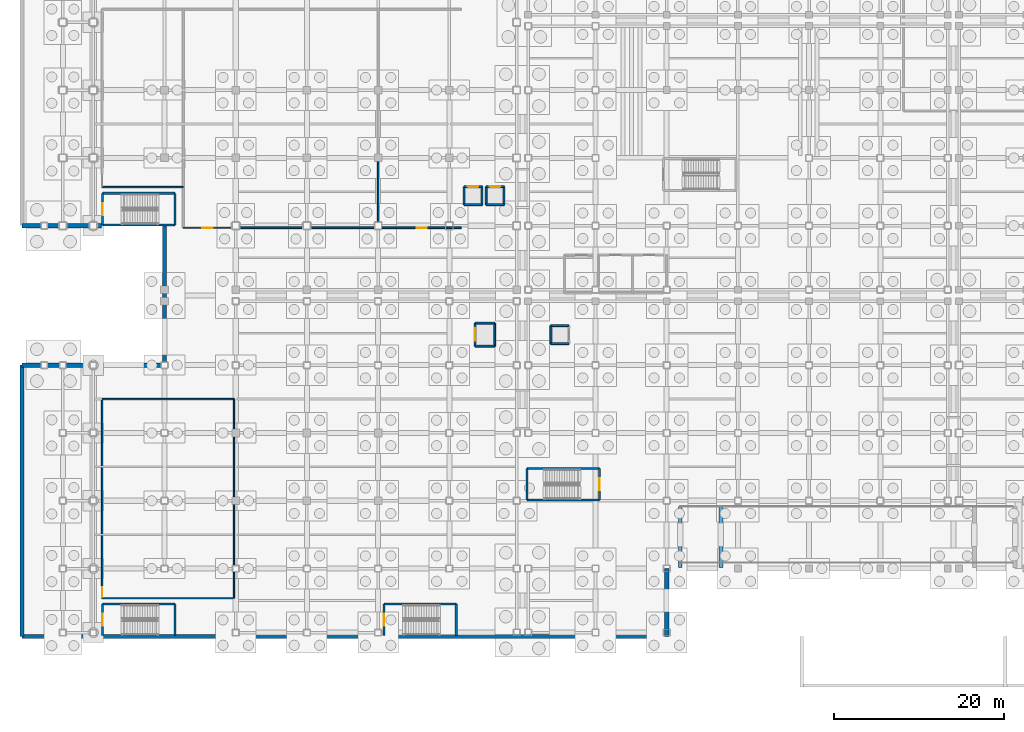
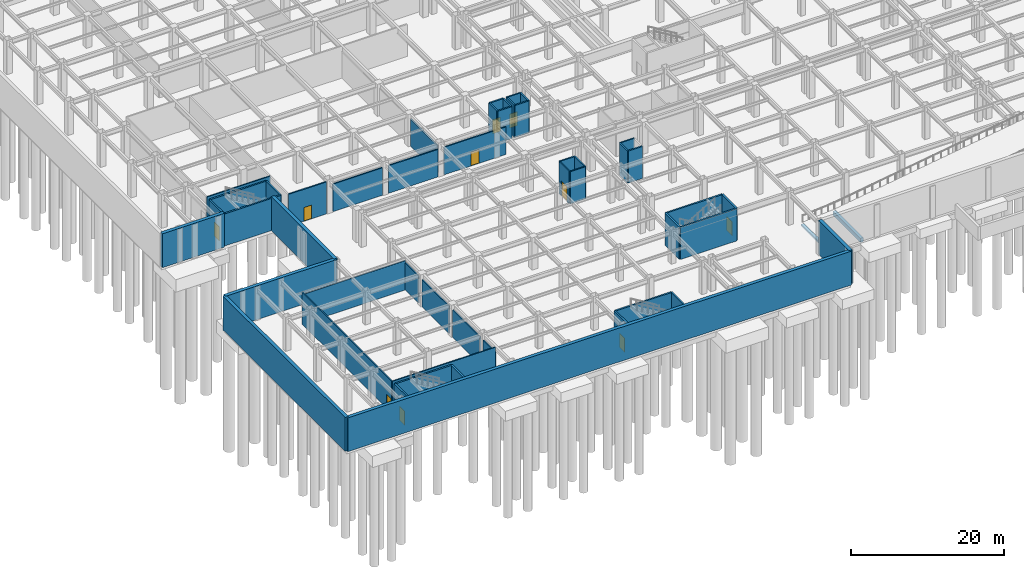
# One storey, part 32 of 55: 50 walls, 10 doors, 10 openings.
"""IFC4 building model written with IfcOpenShell, lengths in metres."""

from ifc_helpers import new_model, si_unit, direction, frame, frame_2d, origin, origin_with_axes, place, context, subcontext, project, spatial, rectangle, extrude, material, layer, layer_set, type_object, element, fill, save


model = new_model("IFC4")

# Units and contexts
model_context = context("Model", 3, precision=1e-05, world=origin(), true_north=direction((0.0, 1.0)))
body_context = subcontext(model_context, "Body", "Model", "MODEL_VIEW")
ifc_project = project(units=[si_unit("LENGTHUNIT", "METRE"), si_unit("AREAUNIT", "SQUARE_METRE"), si_unit("VOLUMEUNIT", "CUBIC_METRE"), si_unit("PLANEANGLEUNIT", "RADIAN"), si_unit("MASSUNIT", "GRAM", prefix="KILO")], contexts=[model_context])

# Site, building, storey
site_placement = place(None, origin())
site = spatial("IfcSite", under=ifc_project, at=site_placement, CompositionType="ELEMENT")
building_placement = place(site_placement, origin())
building = spatial("IfcBuilding", under=site, at=building_placement, Name="Kazehara Bluff Congress Hotel", CompositionType="ELEMENT")
storey_placement = place(building_placement, frame((0.0, 0.0, -5.39990234375)))
storey = spatial("IfcBuildingStorey", under=building, at=storey_placement, Name="B1", CompositionType="ELEMENT", Elevation=-5.39990234375)

# Wall, opening, door
ifc_material_1 = material(Name="Concrete C40/50", Category="concrete")
ifc_layer_1 = layer(ifc_material_1, 0.25)
ifc_layer_set_1 = layer_set([ifc_layer_1], Name="Concrete C40/50")
wall_type_1 = type_object("IfcWallType", Name="TP-CW-RC", PredefinedType="SHEAR", material=ifc_layer_set_1)
wall_1_placement = place(storey_placement, frame((9.47509765625, 48.52490234375, 0.0), z_axis=(0.0, 0.0, 1.0), x_axis=(0.0, 1.0, 0.0)))
wall_1 = element("IfcWall", 1, at=wall_1_placement, inside=storey, type_object=wall_type_1, Name="B1 ST-03 core wall near", PredefinedType="SHEAR", context=body_context, shape_type="SweptSolid", body=[
    extrude(rectangle(XDim=3.75, YDim=0.25, at=frame_2d((1.875, 0.0))), origin(), (0.0, 0.0, 1.0), 5.119873046875),
])
opening_1_placement = place(wall_1_placement, frame((1.175048828125, 0.0, 0.0)))
opening_1 = element("IfcOpeningElement", 2, at=opening_1_placement, cuts=wall_1, Name="Opening FD-03", PredefinedType="OPENING", context=body_context, shape_type="SweptSolid", body=[
    extrude(rectangle(XDim=1.39990234375, YDim=2.25, at=frame_2d((0.699951171875, 1.125))), frame((0.0, 0.135009765625, 0.0), z_axis=(0.0, -1.0, 0.0), x_axis=(1.0, 0.0, 0.0)), (0.0, 0.0, 1.0), 0.27001953125),
])
ifc_material_2 = material(Name="Fire-rated painted steel leaf", Category="steel")
door_type_1 = type_object("IfcDoorType", Name="TP-FD-03", OperationType="NOTDEFINED", PredefinedType="DOOR", material=ifc_material_2)
door_1_placement = place(opening_1_placement, origin())
door_1 = element("IfcDoor", 3, at=door_1_placement, inside=storey, type_object=door_type_1, Name="B1 ST-03 fire stair door", OperationType="SINGLE_SWING_RIGHT", OverallHeight=2.25, OverallWidth=1.39990234375, PredefinedType="DOOR", context=body_context, shape_type="SweptSolid", body=[
    extrude(rectangle(XDim=1.39990234375, YDim=2.25, at=frame_2d((0.699951171875, 1.125))), frame((0.0, 0.02490234375, 0.0), z_axis=(0.0, -1.0, 0.0), x_axis=(1.0, 0.0, 0.0)), (0.0, 0.0, 1.0), 0.050048828125),
])
fill(opening_1, door_1)

# Walls
wall_2_placement = place(storey_placement, frame((18.02490234375, 52.27490234375, 0.0), z_axis=(0.0, 0.0, 1.0), x_axis=(0.0, -1.0, 0.0)))
element("IfcWall", 4, at=wall_2_placement, inside=storey, type_object=wall_type_1, Name="B1 ST-03 core wall far", PredefinedType="SHEAR", context=body_context, shape_type="SweptSolid", body=[
    extrude(rectangle(XDim=3.75, YDim=0.25, at=frame_2d((1.875, 0.0))), origin(), (0.0, 0.0, 1.0), 5.119873046875),
])
for number, where, z_axis, x_axis, name in (
    (5, (18.02490234375, 48.52490234375, 0.0), (0.0, 0.0, 1.0), (-1.0, 0.0, 0.0), "B1 ST-03 core wall left"),
    (6, (9.47509765625, 52.27490234375, 0.0), (0.0, 0.0, 1.0), (1.0, 0.0, 0.0), "B1 ST-03 core wall right"),
):
    element("IfcWall", number, at=place(storey_placement, frame(where, z_axis=z_axis, x_axis=x_axis)), inside=storey, type_object=wall_type_1, Name=name, PredefinedType="SHEAR", context=body_context, shape_type="SweptSolid", body=[
        extrude(rectangle(XDim=8.5498046875, YDim=0.25, at=frame_2d((4.27490234375, 0.0))), origin(), (0.0, 0.0, 1.0), 5.119873046875),
    ])

# Wall, opening, door
wall_3_placement = place(storey_placement, frame((9.47509765625, 0.074951171875, 0.0), z_axis=(0.0, 0.0, 1.0), x_axis=(0.0, 1.0, 0.0)))
wall_3 = element("IfcWall", 7, at=wall_3_placement, inside=storey, type_object=wall_type_1, Name="B1 ST-04 core wall near", PredefinedType="SHEAR", context=body_context, shape_type="SweptSolid", body=[
    extrude(rectangle(XDim=3.75, YDim=0.25, at=frame_2d((1.875, 0.0))), origin(), (0.0, 0.0, 1.0), 5.119873046875),
])
opening_2_placement = place(wall_3_placement, frame((1.175048828125, 0.0, 0.0)))
opening_2 = element("IfcOpeningElement", 8, at=opening_2_placement, cuts=wall_3, Name="Opening FD-03", PredefinedType="OPENING", context=body_context, shape_type="SweptSolid", body=[
    extrude(rectangle(XDim=1.39990234375, YDim=2.25, at=frame_2d((0.699951171875, 1.125))), frame((0.0, 0.135009765625, 0.0), z_axis=(0.0, -1.0, 0.0), x_axis=(1.0, 0.0, 0.0)), (0.0, 0.0, 1.0), 0.27001953125),
])
door_2_placement = place(opening_2_placement, origin())
door_2 = element("IfcDoor", 9, at=door_2_placement, inside=storey, type_object=door_type_1, Name="B1 ST-04 fire stair door", OperationType="SINGLE_SWING_LEFT", OverallHeight=2.25, OverallWidth=1.39990234375, PredefinedType="DOOR", context=body_context, shape_type="SweptSolid", body=[
    extrude(rectangle(XDim=1.39990234375, YDim=2.25, at=frame_2d((0.699951171875, 1.125))), frame((0.0, 0.02490234375, 0.0), z_axis=(0.0, -1.0, 0.0), x_axis=(1.0, 0.0, 0.0)), (0.0, 0.0, 1.0), 0.050048828125),
])
fill(opening_2, door_2)

# Walls
wall_4_placement = place(storey_placement, frame((18.02490234375, 3.824951171875, 0.0), z_axis=(0.0, 0.0, 1.0), x_axis=(0.0, -1.0, 0.0)))
element("IfcWall", 10, at=wall_4_placement, inside=storey, type_object=wall_type_1, Name="B1 ST-04 core wall far", PredefinedType="SHEAR", context=body_context, shape_type="SweptSolid", body=[
    extrude(rectangle(XDim=3.75, YDim=0.25, at=frame_2d((1.875, 0.0))), origin(), (0.0, 0.0, 1.0), 5.119873046875),
])
wall_5_placement = place(storey_placement, frame((9.47509765625, 3.824951171875, 0.0), z_axis=(0.0, 0.0, 1.0), x_axis=(1.0, 0.0, 0.0)))
element("IfcWall", 11, at=wall_5_placement, inside=storey, type_object=wall_type_1, Name="B1 ST-04 core wall right", PredefinedType="SHEAR", context=body_context, shape_type="SweptSolid", body=[
    extrude(rectangle(XDim=8.5498046875, YDim=0.25, at=frame_2d((4.27490234375, 0.0))), origin(), (0.0, 0.0, 1.0), 5.119873046875),
])

# Wall, opening, door
wall_6_placement = place(storey_placement, frame((42.675048828125, 0.074951171875, 0.0), z_axis=(0.0, 0.0, 1.0), x_axis=(0.0, 1.0, 0.0)))
wall_6 = element("IfcWall", 12, at=wall_6_placement, inside=storey, type_object=wall_type_1, Name="B1 ST-05 core wall near", PredefinedType="SHEAR", context=body_context, shape_type="SweptSolid", body=[
    extrude(rectangle(XDim=3.75, YDim=0.25, at=frame_2d((1.875, 0.0))), origin(), (0.0, 0.0, 1.0), 5.119873046875),
])
opening_3_placement = place(wall_6_placement, frame((1.175048828125, 0.0, 0.0)))
opening_3 = element("IfcOpeningElement", 13, at=opening_3_placement, cuts=wall_6, Name="Opening FD-03", PredefinedType="OPENING", context=body_context, shape_type="SweptSolid", body=[
    extrude(rectangle(XDim=1.39990234375, YDim=2.25, at=frame_2d((0.699951171875, 1.125))), frame((0.0, 0.135009765625, 0.0), z_axis=(0.0, -1.0, 0.0), x_axis=(1.0, 0.0, 0.0)), (0.0, 0.0, 1.0), 0.27001953125),
])
door_3_placement = place(opening_3_placement, origin())
door_3 = element("IfcDoor", 14, at=door_3_placement, inside=storey, type_object=door_type_1, Name="B1 ST-05 fire stair door", OperationType="SINGLE_SWING_LEFT", OverallHeight=2.25, OverallWidth=1.39990234375, PredefinedType="DOOR", context=body_context, shape_type="SweptSolid", body=[
    extrude(rectangle(XDim=1.39990234375, YDim=2.25, at=frame_2d((0.699951171875, 1.125))), frame((0.0, 0.02490234375, 0.0), z_axis=(0.0, -1.0, 0.0), x_axis=(1.0, 0.0, 0.0)), (0.0, 0.0, 1.0), 0.050048828125),
])
fill(opening_3, door_3)

# Walls
wall_7_placement = place(storey_placement, frame((51.22509765625, 3.824951171875, 0.0), z_axis=(0.0, 0.0, 1.0), x_axis=(0.0, -1.0, 0.0)))
element("IfcWall", 15, at=wall_7_placement, inside=storey, type_object=wall_type_1, Name="B1 ST-05 core wall far", PredefinedType="SHEAR", context=body_context, shape_type="SweptSolid", body=[
    extrude(rectangle(XDim=3.75, YDim=0.25, at=frame_2d((1.875, 0.0))), origin(), (0.0, 0.0, 1.0), 5.119873046875),
])
wall_8_placement = place(storey_placement, frame((42.675048828125, 3.824951171875, 0.0), z_axis=(0.0, 0.0, 1.0), x_axis=(1.0, 0.0, 0.0)))
element("IfcWall", 16, at=wall_8_placement, inside=storey, type_object=wall_type_1, Name="B1 ST-05 core wall right", PredefinedType="SHEAR", context=body_context, shape_type="SweptSolid", body=[
    extrude(rectangle(XDim=8.550048828125, YDim=0.25, at=frame_2d((4.27490234375, 0.0))), origin(), (0.0, 0.0, 1.0), 5.119873046875),
])

# Wall, opening, door
wall_9_placement = place(storey_placement, frame((68.125, 19.824951171875, 0.0), z_axis=(0.0, 0.0, 1.0), x_axis=(0.0, -1.0, 0.0)))
wall_9 = element("IfcWall", 17, at=wall_9_placement, inside=storey, type_object=wall_type_1, Name="B1 ST-08 core wall near", PredefinedType="SHEAR", context=body_context, shape_type="SweptSolid", body=[
    extrude(rectangle(XDim=3.75, YDim=0.25, at=frame_2d((1.875, 0.0))), origin(), (0.0, 0.0, 1.0), 5.119873046875),
])
opening_4_placement = place(wall_9_placement, frame((1.175048828125, 0.0, 0.0)))
opening_4 = element("IfcOpeningElement", 18, at=opening_4_placement, cuts=wall_9, Name="Opening FD-03", PredefinedType="OPENING", context=body_context, shape_type="SweptSolid", body=[
    extrude(rectangle(XDim=1.39990234375, YDim=2.25, at=frame_2d((0.699951171875, 1.125))), frame((0.0, 0.135009765625, 0.0), z_axis=(0.0, -1.0, 0.0), x_axis=(1.0, 0.0, 0.0)), (0.0, 0.0, 1.0), 0.27001953125),
])
door_4_placement = place(opening_4_placement, origin())
door_4 = element("IfcDoor", 19, at=door_4_placement, inside=storey, type_object=door_type_1, Name="B1 ST-08 fire stair door", OperationType="SINGLE_SWING_LEFT", OverallHeight=2.25, OverallWidth=1.39990234375, PredefinedType="DOOR", context=body_context, shape_type="SweptSolid", body=[
    extrude(rectangle(XDim=1.39990234375, YDim=2.25, at=frame_2d((0.699951171875, 1.125))), frame((0.0, 0.02490234375, 0.0), z_axis=(0.0, -1.0, 0.0), x_axis=(1.0, 0.0, 0.0)), (0.0, 0.0, 1.0), 0.050048828125),
])
fill(opening_4, door_4)

# Walls
wall_10_placement = place(storey_placement, frame((59.574951171875, 16.074951171875, 0.0), z_axis=(0.0, 0.0, 1.0), x_axis=(0.0, 1.0, 0.0)))
element("IfcWall", 20, at=wall_10_placement, inside=storey, type_object=wall_type_1, Name="B1 ST-08 core wall far", PredefinedType="SHEAR", context=body_context, shape_type="SweptSolid", body=[
    extrude(rectangle(XDim=3.75, YDim=0.25, at=frame_2d((1.875, 0.0))), origin(), (0.0, 0.0, 1.0), 5.119873046875),
])
for number, where, z_axis, x_axis, name in (
    (21, (59.574951171875, 19.824951171875, 0.0), (0.0, 0.0, 1.0), (1.0, 0.0, 0.0), "B1 ST-08 core wall left"),
    (22, (68.125, 16.074951171875, 0.0), (0.0, 0.0, 1.0), (-1.0, 0.0, 0.0), "B1 ST-08 core wall right"),
):
    element("IfcWall", number, at=place(storey_placement, frame(where, z_axis=z_axis, x_axis=x_axis)), inside=storey, type_object=wall_type_1, Name=name, PredefinedType="SHEAR", context=body_context, shape_type="SweptSolid", body=[
        extrude(rectangle(XDim=8.550048828125, YDim=0.25, at=frame_2d((4.27490234375, 0.0))), origin(), (0.0, 0.0, 1.0), 5.119873046875),
    ])

# Wall, opening, door
ifc_material_3 = material(Name="Concrete C40/50", Category="concrete")
ifc_layer_2 = layer(ifc_material_3, 0.199951171875)
ifc_layer_set_2 = layer_set([ifc_layer_2], Name="Concrete C40/50")
wall_type_2 = type_object("IfcWallType", Name="TP-FW-RC", PredefinedType="SOLIDWALL", material=ifc_layer_set_2)
wall_11_placement = place(storey_placement, frame((19.0, 48.199951171875, 0.0), z_axis=(0.0, 0.0, 1.0), x_axis=(1.0, 0.0, 0.0)))
wall_11 = element("IfcWall", 23, at=wall_11_placement, inside=storey, type_object=wall_type_2, Name="B1 partition FW-RC 7", PredefinedType="SOLIDWALL", context=body_context, shape_type="SweptSolid", body=[
    extrude(rectangle(XDim=5.72998046875, YDim=0.199951171875, at=frame_2d((2.864990234375, 0.0))), origin(), (0.0, 0.0, 1.0), 5.10498046875),
])
opening_5_placement = place(wall_11_placement, frame((2.264892578125, 0.0, 0.0)))
opening_5 = element("IfcOpeningElement", 24, at=opening_5_placement, cuts=wall_11, Name="Opening FD-02", PredefinedType="OPENING", context=body_context, shape_type="SweptSolid", body=[
    extrude(rectangle(XDim=1.199951171875, YDim=2.199951171875, at=frame_2d((0.60009765625, 1.10009765625))), frame((0.0, 0.10986328125, 0.0), z_axis=(0.0, -1.0, 0.0), x_axis=(1.0, 0.0, 0.0)), (0.0, 0.0, 1.0), 0.219970703125),
])
ifc_material_4 = material(Name="Fire-rated painted steel leaf", Category="steel")
door_type_2 = type_object("IfcDoorType", Name="TP-FD-02", OperationType="NOTDEFINED", PredefinedType="DOOR", material=ifc_material_4)
door_5_placement = place(opening_5_placement, origin())
door_5 = element("IfcDoor", 25, at=door_5_placement, inside=storey, type_object=door_type_2, Name="B1 Central Chiller and Heat Pump Plant Room door", OperationType="SINGLE_SWING_LEFT", OverallHeight=2.199951171875, OverallWidth=1.199951171875, PredefinedType="DOOR", context=body_context, shape_type="SweptSolid", body=[
    extrude(rectangle(XDim=1.199951171875, YDim=2.199951171875, at=frame_2d((0.60009765625, 1.10009765625))), frame((0.0, 0.02490234375, 0.0), z_axis=(0.0, -1.0, 0.0), x_axis=(1.0, 0.0, 0.0)), (0.0, 0.0, 1.0), 0.050048828125),
])
fill(opening_5, door_5)

# Walls
for number, where, z_axis, x_axis, name in (
    (26, (25.669921875, 48.199951171875, 0.0), (0.0, 0.0, 1.0), (1.0, 0.0, 0.0), "B1 partition FW-RC 8"),
    (27, (34.070068359375, 48.199951171875, 0.0), (0.0, 0.0, 1.0), (1.0, 0.0, 0.0), "B1 partition FW-RC 9"),
):
    element("IfcWall", number, at=place(storey_placement, frame(where, z_axis=z_axis, x_axis=x_axis)), inside=storey, type_object=wall_type_2, Name=name, PredefinedType="SOLIDWALL", context=body_context, shape_type="SweptSolid", body=[
        extrude(rectangle(XDim=7.4599609375, YDim=0.199951171875, at=frame_2d((3.72998046875, 0.0))), origin(), (0.0, 0.0, 1.0), 4.39501953125),
    ])

# Wall, opening, door
wall_12_placement = place(storey_placement, frame((42.469970703125, 48.199951171875, 0.0), z_axis=(0.0, 0.0, 1.0), x_axis=(1.0, 0.0, 0.0)))
wall_12 = element("IfcWall", 28, at=wall_12_placement, inside=storey, type_object=wall_type_2, Name="B1 partition FW-RC 10", PredefinedType="SOLIDWALL", context=body_context, shape_type="SweptSolid", body=[
    extrude(rectangle(XDim=9.330078125, YDim=0.199951171875, at=frame_2d((4.6650390625, 0.0))), origin(), (0.0, 0.0, 1.0), 4.39501953125),
])
opening_6_placement = place(wall_12_placement, frame((4.06494140625, 0.0, 0.0)))
opening_6 = element("IfcOpeningElement", 29, at=opening_6_placement, cuts=wall_12, Name="Opening FD-02", PredefinedType="OPENING", context=body_context, shape_type="SweptSolid", body=[
    extrude(rectangle(XDim=1.199951171875, YDim=2.199951171875, at=frame_2d((0.60009765625, 1.10009765625))), frame((0.0, 0.10986328125, 0.0), z_axis=(0.0, -1.0, 0.0), x_axis=(1.0, 0.0, 0.0)), (0.0, 0.0, 1.0), 0.219970703125),
])
door_6_placement = place(opening_6_placement, origin())
door_6 = element("IfcDoor", 30, at=door_6_placement, inside=storey, type_object=door_type_2, Name="B1 Electrical Switchgear and Standby Generator Plant door", OperationType="SINGLE_SWING_RIGHT", OverallHeight=2.199951171875, OverallWidth=1.199951171875, PredefinedType="DOOR", context=body_context, shape_type="SweptSolid", body=[
    extrude(rectangle(XDim=1.199951171875, YDim=2.199951171875, at=frame_2d((0.60009765625, 1.10009765625))), frame((0.0, 0.02490234375, 0.0), z_axis=(0.0, -1.0, 0.0), x_axis=(1.0, 0.0, 0.0)), (0.0, 0.0, 1.0), 0.050048828125),
])
fill(opening_6, door_6)

# Walls
wall_13_placement = place(storey_placement, frame((42.0, 48.919921875, 0.0), z_axis=(0.0, 0.0, 1.0), x_axis=(0.0, 1.0, 0.0)))
element("IfcWall", 31, at=wall_13_placement, inside=storey, type_object=wall_type_2, Name="B1 partition FW-RC 37", PredefinedType="SOLIDWALL", context=body_context, shape_type="SweptSolid", body=[
    extrude(rectangle(XDim=7.06005859375, YDim=0.199951171875, at=frame_2d((3.530029296875, 0.0))), origin(), (0.0, 0.0, 1.0), 4.344970703125),
])
ifc_material_5 = material(Name="Fire-rated gypsum board stud partition")
ifc_layer_3 = layer(ifc_material_5, 0.169921875)
ifc_layer_set_3 = layer_set([ifc_layer_3], Name="Fire-rated gypsum board stud partition")
wall_type_3 = type_object("IfcWallType", Name="TP-PT-180", PredefinedType="PARTITIONING", material=ifc_layer_set_3)
wall_14_placement = place(storey_placement, frame((9.449951171875, 4.5, 0.0), z_axis=(0.0, 0.0, 1.0), x_axis=(1.0, 0.0, 0.0)))
element("IfcWall", 32, at=wall_14_placement, inside=storey, type_object=wall_type_3, Name="B1 partition PT-180 1", PredefinedType="PARTITIONING", context=body_context, shape_type="SweptSolid", body=[
    extrude(rectangle(XDim=15.550048828125, YDim=0.169921875, at=frame_2d((7.77490234375, 0.0))), origin(), (0.0, 0.0, 1.0), 5.10498046875),
])
wall_15_placement = place(storey_placement, frame((9.449951171875, 28.0, 0.0), z_axis=(0.0, 0.0, 1.0), x_axis=(1.0, 0.0, 0.0)))
element("IfcWall", 33, at=wall_15_placement, inside=storey, type_object=wall_type_3, Name="B1 partition PT-180 2", PredefinedType="PARTITIONING", context=body_context, shape_type="SweptSolid", body=[
    extrude(rectangle(XDim=15.550048828125, YDim=0.169921875, at=frame_2d((7.77490234375, 0.0))), origin(), (0.0, 0.0, 1.0), 4.69482421875),
])
wall_16_placement = place(storey_placement, frame((9.449951171875, 53.0, 0.0), z_axis=(0.0, 0.0, 1.0), x_axis=(1.0, 0.0, 0.0)))
element("IfcWall", 34, at=wall_16_placement, inside=storey, type_object=wall_type_3, Name="B1 partition PT-180 12", PredefinedType="PARTITIONING", context=body_context, shape_type="SweptSolid", body=[
    extrude(rectangle(XDim=9.550048828125, YDim=0.169921875, at=frame_2d((4.77490234375, 0.0))), origin(), (0.0, 0.0, 1.0), 5.10498046875),
])

# Wall, opening, door
wall_17_placement = place(storey_placement, frame((9.449951171875, 4.5, 0.0), z_axis=(0.0, 0.0, 1.0), x_axis=(0.0, 1.0, 0.0)))
wall_17 = element("IfcWall", 35, at=wall_17_placement, inside=storey, type_object=wall_type_3, Name="B1 partition PT-180 28", PredefinedType="PARTITIONING", context=body_context, shape_type="SweptSolid", body=[
    extrude(rectangle(XDim=23.5, YDim=0.169921875, at=frame_2d((11.75, 0.0))), origin(), (0.0, 0.0, 1.0), 5.10498046875),
])
opening_7_placement = place(wall_17_placement, frame((0.1201171875, 0.0, 0.0)))
opening_7 = element("IfcOpeningElement", 36, at=opening_7_placement, cuts=wall_17, Name="Opening FD-02", PredefinedType="OPENING", context=body_context, shape_type="SweptSolid", body=[
    extrude(rectangle(XDim=1.199951171875, YDim=2.199951171875, at=frame_2d((0.60009765625, 1.10009765625))), frame((0.0, 0.094970703125, 0.0), z_axis=(0.0, -1.0, 0.0), x_axis=(1.0, 0.0, 0.0)), (0.0, 0.0, 1.0), 0.18994140625),
])
door_7_placement = place(opening_7_placement, origin())
door_7 = element("IfcDoor", 37, at=door_7_placement, inside=storey, type_object=door_type_2, Name="B1 Central Banquet Preparation Kitchen door", OperationType="SINGLE_SWING_RIGHT", OverallHeight=2.199951171875, OverallWidth=1.199951171875, PredefinedType="DOOR", context=body_context, shape_type="SweptSolid", body=[
    extrude(rectangle(XDim=1.199951171875, YDim=2.199951171875, at=frame_2d((0.60009765625, 1.10009765625))), frame((0.0, 0.02490234375, 0.0), z_axis=(0.0, -1.0, 0.0), x_axis=(1.0, 0.0, 0.0)), (0.0, 0.0, 1.0), 0.050048828125),
])
fill(opening_7, door_7)

# Walls
wall_18_placement = place(storey_placement, frame((25.0, 4.5, 0.0), z_axis=(0.0, 0.0, 1.0), x_axis=(0.0, 1.0, 0.0)))
element("IfcWall", 38, at=wall_18_placement, inside=storey, type_object=wall_type_3, Name="B1 partition PT-180 32", PredefinedType="PARTITIONING", context=body_context, shape_type="SweptSolid", body=[
    extrude(rectangle(XDim=3.080078125, YDim=0.169921875, at=frame_2d((1.5400390625, 0.0))), origin(), (0.0, 0.0, 1.0), 4.344970703125),
])
wall_19_placement = place(storey_placement, frame((25.0, 8.419921875, 0.0), z_axis=(0.0, 0.0, 1.0), x_axis=(0.0, 1.0, 0.0)))
element("IfcWall", 39, at=wall_19_placement, inside=storey, type_object=wall_type_3, Name="B1 partition PT-180 33", PredefinedType="PARTITIONING", context=body_context, shape_type="SweptSolid", body=[
    extrude(rectangle(XDim=7.110107421875, YDim=0.169921875, at=frame_2d((3.55517578125, 0.0))), origin(), (0.0, 0.0, 1.0), 4.344970703125),
])
wall_20_placement = place(storey_placement, frame((25.0, 16.469970703125, 0.0), z_axis=(0.0, 0.0, 1.0), x_axis=(0.0, 1.0, 0.0)))
element("IfcWall", 40, at=wall_20_placement, inside=storey, type_object=wall_type_3, Name="B1 partition PT-180 34", PredefinedType="PARTITIONING", context=body_context, shape_type="SweptSolid", body=[
    extrude(rectangle(XDim=7.06005859375, YDim=0.169921875, at=frame_2d((3.530029296875, 0.0))), origin(), (0.0, 0.0, 1.0), 4.344970703125),
])
wall_21_placement = place(storey_placement, frame((25.0, 24.469970703125, 0.0), z_axis=(0.0, 0.0, 1.0), x_axis=(0.0, 1.0, 0.0)))
element("IfcWall", 41, at=wall_21_placement, inside=storey, type_object=wall_type_3, Name="B1 partition PT-180 35", PredefinedType="PARTITIONING", context=body_context, shape_type="SweptSolid", body=[
    extrude(rectangle(XDim=3.530029296875, YDim=0.169921875, at=frame_2d((1.76513671875, 0.0))), origin(), (0.0, 0.0, 1.0), 4.344970703125),
])
ifc_material_6 = material(Name="Concrete C40/50", Category="concrete")
ifc_layer_4 = layer(ifc_material_6, 0.5)
ifc_layer_set_4 = layer_set([ifc_layer_4], Name="Concrete C40/50")
wall_type_4 = type_object("IfcWallType", Name="TP-RW-500", PredefinedType="USERDEFINED", material=ifc_layer_set_4)
wall_22_placement = place(storey_placement, origin_with_axes())
element("IfcWall", 42, at=wall_22_placement, inside=storey, type_object=wall_type_4, Name="Basement perimeter retaining wall 1", ObjectType="RETAININGWALL", PredefinedType="USERDEFINED", context=body_context, shape_type="SweptSolid", body=[
    extrude(rectangle(XDim=76.050048828125, YDim=0.5, at=frame_2d((38.02490234375, 0.0))), origin(), (0.0, 0.0, 1.0), 5.39990234375),
])
wall_23_placement = place(storey_placement, frame((76.050048828125, 0.0, 0.0), z_axis=(0.0, 0.0, 1.0), x_axis=(0.0, 1.0, 0.0)))
element("IfcWall", 43, at=wall_23_placement, inside=storey, type_object=wall_type_4, Name="Basement perimeter retaining wall 2", ObjectType="RETAININGWALL", PredefinedType="USERDEFINED", context=body_context, shape_type="SweptSolid", body=[
    extrude(rectangle(XDim=8.0, YDim=0.5, at=frame_2d((4.0, 0.0))), origin(), (0.0, 0.0, 1.0), 5.39990234375),
])
wall_24_placement = place(storey_placement, frame((0.0, 48.449951171875, 0.0), z_axis=(0.0, 0.0, 1.0), x_axis=(1.0, 0.0, 0.0)))
element("IfcWall", 44, at=wall_24_placement, inside=storey, type_object=wall_type_4, Name="Basement perimeter retaining wall 13", ObjectType="RETAININGWALL", PredefinedType="USERDEFINED", context=body_context, shape_type="SweptSolid", body=[
    extrude(rectangle(XDim=9.35009765625, YDim=0.5, at=frame_2d((4.675048828125, 0.0))), origin(), (0.0, 0.0, 1.0), 5.39990234375),
])
wall_25_placement = place(storey_placement, frame((16.800048828125, 48.449951171875, 0.0), z_axis=(0.0, 0.0, 1.0), x_axis=(0.0, -1.0, 0.0)))
element("IfcWall", 45, at=wall_25_placement, inside=storey, type_object=wall_type_4, Name="Basement perimeter retaining wall 14", ObjectType="RETAININGWALL", PredefinedType="USERDEFINED", context=body_context, shape_type="SweptSolid", body=[
    extrude(rectangle(XDim=16.449951171875, YDim=0.5, at=frame_2d((8.22509765625, 0.0))), origin(), (0.0, 0.0, 1.0), 5.39990234375),
])
wall_26_placement = place(storey_placement, frame((16.800048828125, 32.0, 0.0), z_axis=(0.0, 0.0, 1.0), x_axis=(-1.0, 0.0, 0.0)))
element("IfcWall", 46, at=wall_26_placement, inside=storey, type_object=wall_type_4, Name="Basement perimeter retaining wall 15", ObjectType="RETAININGWALL", PredefinedType="USERDEFINED", context=body_context, shape_type="SweptSolid", body=[
    extrude(rectangle(XDim=16.800048828125, YDim=0.5, at=frame_2d((8.39990234375, 0.0))), origin(), (0.0, 0.0, 1.0), 5.39990234375),
])
wall_27_placement = place(storey_placement, frame((0.0, 32.0, 0.0), z_axis=(0.0, 0.0, 1.0), x_axis=(0.0, -1.0, 0.0)))
element("IfcWall", 47, at=wall_27_placement, inside=storey, type_object=wall_type_4, Name="Basement perimeter retaining wall 16", ObjectType="RETAININGWALL", PredefinedType="USERDEFINED", context=body_context, shape_type="SweptSolid", body=[
    extrude(rectangle(XDim=32.0, YDim=0.5, at=frame_2d((16.0, 0.0))), origin(), (0.0, 0.0, 1.0), 5.39990234375),
])
ifc_material_7 = material(Name="Concrete C40/50", Category="concrete")
ifc_layer_5 = layer(ifc_material_7, 0.449951171875)
ifc_layer_set_5 = layer_set([ifc_layer_5], Name="Concrete C40/50")
wall_type_5 = type_object("IfcWallType", Name="TP-RW-RMP", PredefinedType="SHEAR", material=ifc_layer_set_5)
wall_28_placement = place(storey_placement, frame((77.64990234375, 8.14990234375, -0.5), z_axis=(0.0, 0.0, 1.0), x_axis=(0.0, 1.0, 0.0)))
element("IfcWall", 48, at=wall_28_placement, inside=storey, type_object=wall_type_5, Name="Car park vehicle ramp R1 bearing pier wall 1", PredefinedType="SHEAR", context=body_context, shape_type="SweptSolid", body=[
    extrude(rectangle(XDim=7.2001953125, YDim=0.449951171875, at=frame_2d((3.60009765625, 0.0))), origin(), (0.0, 0.0, 1.0), 0.260009765625),
])
wall_29_placement = place(storey_placement, frame((82.449951171875, 8.14990234375, -0.5), z_axis=(0.0, 0.0, 1.0), x_axis=(0.0, 1.0, 0.0)))
element("IfcWall", 49, at=wall_29_placement, inside=storey, type_object=wall_type_5, Name="Car park vehicle ramp R1 bearing pier wall 2", PredefinedType="SHEAR", context=body_context, shape_type="SweptSolid", body=[
    extrude(rectangle(XDim=7.2001953125, YDim=0.449951171875, at=frame_2d((3.60009765625, 0.0))), origin(), (0.0, 0.0, 1.0), 0.659912109375),
])

# Wall, opening, door
ifc_material_8 = material(Name="Concrete C40/50", Category="concrete")
ifc_layer_6 = layer(ifc_material_8, 0.219970703125)
ifc_layer_set_6 = layer_set([ifc_layer_6], Name="Concrete C40/50")
wall_type_6 = type_object("IfcWallType", Name="TP-SW-RC", PredefinedType="SHEAR", material=ifc_layer_set_6)
wall_30_placement = place(storey_placement, frame((52.139892578125, 53.06005859375, 0.0), z_axis=(0.0, 0.0, 1.0), x_axis=(1.0, 0.0, 0.0)))
wall_30 = element("IfcWall", 50, at=wall_30_placement, inside=storey, type_object=wall_type_6, Name="B1 EL-C1 lift shaft wall +Y", PredefinedType="SHEAR", context=body_context, shape_type="SweptSolid", body=[
    extrude(rectangle(XDim=2.1201171875, YDim=0.219970703125, at=frame_2d((1.06005859375, 0.0))), origin(), (0.0, 0.0, 1.0), 5.119873046875),
])
opening_8_placement = place(wall_30_placement, frame((0.4599609375, 0.0, 0.0)))
opening_8 = element("IfcOpeningElement", 51, at=opening_8_placement, cuts=wall_30, Name="Opening LD-02", PredefinedType="OPENING", context=body_context, shape_type="SweptSolid", body=[
    extrude(rectangle(XDim=1.199951171875, YDim=2.25, at=frame_2d((0.60009765625, 1.125))), frame((0.0, 0.119873046875, 0.0), z_axis=(0.0, -1.0, 0.0), x_axis=(1.0, 0.0, 0.0)), (0.0, 0.0, 1.0), 0.239990234375),
])
ifc_material_9 = material(Name="Fire-rated painted steel leaf", Category="steel")
door_type_3 = type_object("IfcDoorType", Name="TP-LD-02", OperationType="SLIDING_TO_LEFT", PredefinedType="DOOR", material=ifc_material_9)
door_8_placement = place(opening_8_placement, origin())
door_8 = element("IfcDoor", 52, at=door_8_placement, inside=storey, type_object=door_type_3, Name="B1 EL-C1 elevator landing door", OperationType="SLIDING_TO_LEFT", OverallHeight=2.25, OverallWidth=1.199951171875, PredefinedType="DOOR", context=body_context, shape_type="SweptSolid", body=[
    extrude(rectangle(XDim=1.199951171875, YDim=2.25, at=frame_2d((0.60009765625, 1.125))), frame((0.0, 0.02490234375, 0.0), z_axis=(0.0, -1.0, 0.0), x_axis=(1.0, 0.0, 0.0)), (0.0, 0.0, 1.0), 0.050048828125),
])
fill(opening_8, door_8)

# Walls
for number, where, z_axis, x_axis, name in (
    (53, (52.139892578125, 50.93994140625, 0.0), (0.0, 0.0, 1.0), (1.0, 0.0, 0.0), "B1 EL-C1 lift shaft wall -Y"),
    (54, (54.260009765625, 50.93994140625, 0.0), (0.0, 0.0, 1.0), (0.0, 1.0, 0.0), "B1 EL-C1 lift shaft wall +X"),
    (55, (52.139892578125, 50.93994140625, 0.0), (0.0, 0.0, 1.0), (0.0, 1.0, 0.0), "B1 EL-C1 lift shaft wall -X"),
):
    element("IfcWall", number, at=place(storey_placement, frame(where, z_axis=z_axis, x_axis=x_axis)), inside=storey, type_object=wall_type_6, Name=name, PredefinedType="SHEAR", context=body_context, shape_type="SweptSolid", body=[
        extrude(rectangle(XDim=2.1201171875, YDim=0.219970703125, at=frame_2d((1.06005859375, 0.0))), origin(), (0.0, 0.0, 1.0), 5.119873046875),
    ])

# Wall, opening, door
wall_31_placement = place(storey_placement, frame((54.739990234375, 53.06005859375, 0.0), z_axis=(0.0, 0.0, 1.0), x_axis=(1.0, 0.0, 0.0)))
wall_31 = element("IfcWall", 56, at=wall_31_placement, inside=storey, type_object=wall_type_6, Name="B1 EL-C2 lift shaft wall +Y", PredefinedType="SHEAR", context=body_context, shape_type="SweptSolid", body=[
    extrude(rectangle(XDim=2.1201171875, YDim=0.219970703125, at=frame_2d((1.06005859375, 0.0))), origin(), (0.0, 0.0, 1.0), 5.119873046875),
])
opening_9_placement = place(wall_31_placement, frame((0.4599609375, 0.0, 0.0)))
opening_9 = element("IfcOpeningElement", 57, at=opening_9_placement, cuts=wall_31, Name="Opening LD-02", PredefinedType="OPENING", context=body_context, shape_type="SweptSolid", body=[
    extrude(rectangle(XDim=1.199951171875, YDim=2.25, at=frame_2d((0.60009765625, 1.125))), frame((0.0, 0.119873046875, 0.0), z_axis=(0.0, -1.0, 0.0), x_axis=(1.0, 0.0, 0.0)), (0.0, 0.0, 1.0), 0.239990234375),
])
door_9_placement = place(opening_9_placement, origin())
door_9 = element("IfcDoor", 58, at=door_9_placement, inside=storey, type_object=door_type_3, Name="B1 EL-C2 elevator landing door", OperationType="SLIDING_TO_LEFT", OverallHeight=2.25, OverallWidth=1.199951171875, PredefinedType="DOOR", context=body_context, shape_type="SweptSolid", body=[
    extrude(rectangle(XDim=1.199951171875, YDim=2.25, at=frame_2d((0.60009765625, 1.125))), frame((0.0, 0.02490234375, 0.0), z_axis=(0.0, -1.0, 0.0), x_axis=(1.0, 0.0, 0.0)), (0.0, 0.0, 1.0), 0.050048828125),
])
fill(opening_9, door_9)

# Walls
for number, where, z_axis, x_axis, name in (
    (59, (54.739990234375, 50.93994140625, 0.0), (0.0, 0.0, 1.0), (1.0, 0.0, 0.0), "B1 EL-C2 lift shaft wall -Y"),
    (60, (56.860107421875, 50.93994140625, 0.0), (0.0, 0.0, 1.0), (0.0, 1.0, 0.0), "B1 EL-C2 lift shaft wall +X"),
    (61, (54.739990234375, 50.93994140625, 0.0), (0.0, 0.0, 1.0), (0.0, 1.0, 0.0), "B1 EL-C2 lift shaft wall -X"),
    (62, (62.389892578125, 36.659912109375, 0.0), (0.0, 0.0, 1.0), (1.0, 0.0, 0.0), "B1 EL-C3 lift shaft wall +Y"),
    (63, (62.389892578125, 34.5400390625, 0.0), (0.0, 0.0, 1.0), (1.0, 0.0, 0.0), "B1 EL-C3 lift shaft wall -Y"),
):
    element("IfcWall", number, at=place(storey_placement, frame(where, z_axis=z_axis, x_axis=x_axis)), inside=storey, type_object=wall_type_6, Name=name, PredefinedType="SHEAR", context=body_context, shape_type="SweptSolid", body=[
        extrude(rectangle(XDim=2.1201171875, YDim=0.219970703125, at=frame_2d((1.06005859375, 0.0))), origin(), (0.0, 0.0, 1.0), 5.119873046875),
    ])
wall_32_placement = place(storey_placement, frame((62.389892578125, 34.5400390625, 0.0), z_axis=(0.0, 0.0, 1.0), x_axis=(0.0, 1.0, 0.0)))
element("IfcWall", 64, at=wall_32_placement, inside=storey, type_object=wall_type_6, Name="B1 EL-C3 lift shaft wall -X", PredefinedType="SHEAR", context=body_context, shape_type="SweptSolid", body=[
    extrude(rectangle(XDim=2.119873046875, YDim=0.219970703125, at=frame_2d((1.06005859375, 0.0))), origin(), (0.0, 0.0, 1.0), 5.119873046875),
])
for number, where, z_axis, x_axis, name in (
    (65, (53.43994140625, 36.9599609375, 0.0), (0.0, 0.0, 1.0), (1.0, 0.0, 0.0), "B1 EL-S1 lift shaft wall +Y"),
    (66, (53.43994140625, 34.239990234375, 0.0), (0.0, 0.0, 1.0), (1.0, 0.0, 0.0), "B1 EL-S1 lift shaft wall -Y"),
):
    element("IfcWall", number, at=place(storey_placement, frame(where, z_axis=z_axis, x_axis=x_axis)), inside=storey, type_object=wall_type_6, Name=name, PredefinedType="SHEAR", context=body_context, shape_type="SweptSolid", body=[
        extrude(rectangle(XDim=2.320068359375, YDim=0.219970703125, at=frame_2d((1.16015625, 0.0))), origin(), (0.0, 0.0, 1.0), 5.119873046875),
    ])
wall_33_placement = place(storey_placement, frame((55.760009765625, 34.239990234375, 0.0), z_axis=(0.0, 0.0, 1.0), x_axis=(0.0, 1.0, 0.0)))
element("IfcWall", 67, at=wall_33_placement, inside=storey, type_object=wall_type_6, Name="B1 EL-S1 lift shaft wall +X", PredefinedType="SHEAR", context=body_context, shape_type="SweptSolid", body=[
    extrude(rectangle(XDim=2.719970703125, YDim=0.219970703125, at=frame_2d((1.35986328125, 0.0))), origin(), (0.0, 0.0, 1.0), 5.119873046875),
])

# Wall, opening, door
wall_34_placement = place(storey_placement, frame((53.43994140625, 34.239990234375, 0.0), z_axis=(0.0, 0.0, 1.0), x_axis=(0.0, 1.0, 0.0)))
wall_34 = element("IfcWall", 68, at=wall_34_placement, inside=storey, type_object=wall_type_6, Name="B1 EL-S1 lift shaft wall -X", PredefinedType="SHEAR", context=body_context, shape_type="SweptSolid", body=[
    extrude(rectangle(XDim=2.719970703125, YDim=0.219970703125, at=frame_2d((1.35986328125, 0.0))), origin(), (0.0, 0.0, 1.0), 5.119873046875),
])
opening_10_placement = place(wall_34_placement, frame((0.635009765625, 0.0, 0.0)))
opening_10 = element("IfcOpeningElement", 69, at=opening_10_placement, cuts=wall_34, Name="Opening LD-04", PredefinedType="OPENING", context=body_context, shape_type="SweptSolid", body=[
    extrude(rectangle(XDim=1.449951171875, YDim=2.35009765625, at=frame_2d((0.72509765625, 1.175048828125))), frame((0.0, 0.119873046875, 0.0), z_axis=(0.0, -1.0, 0.0), x_axis=(1.0, 0.0, 0.0)), (0.0, 0.0, 1.0), 0.239990234375),
])
ifc_material_10 = material(Name="Fire-rated painted steel leaf", Category="steel")
door_type_4 = type_object("IfcDoorType", Name="TP-LD-04", OperationType="SLIDING_TO_LEFT", PredefinedType="DOOR", material=ifc_material_10)
door_10_placement = place(opening_10_placement, origin())
door_10 = element("IfcDoor", 70, at=door_10_placement, inside=storey, type_object=door_type_4, Name="B1 EL-S1 elevator landing door", OperationType="SLIDING_TO_LEFT", OverallHeight=2.35009765625, OverallWidth=1.449951171875, PredefinedType="DOOR", context=body_context, shape_type="SweptSolid", body=[
    extrude(rectangle(XDim=1.449951171875, YDim=2.35009765625, at=frame_2d((0.72509765625, 1.175048828125))), frame((0.0, 0.02490234375, 0.0), z_axis=(0.0, -1.0, 0.0), x_axis=(1.0, 0.0, 0.0)), (0.0, 0.0, 1.0), 0.050048828125),
])
fill(opening_10, door_10)

save(model, "model.ifc")
